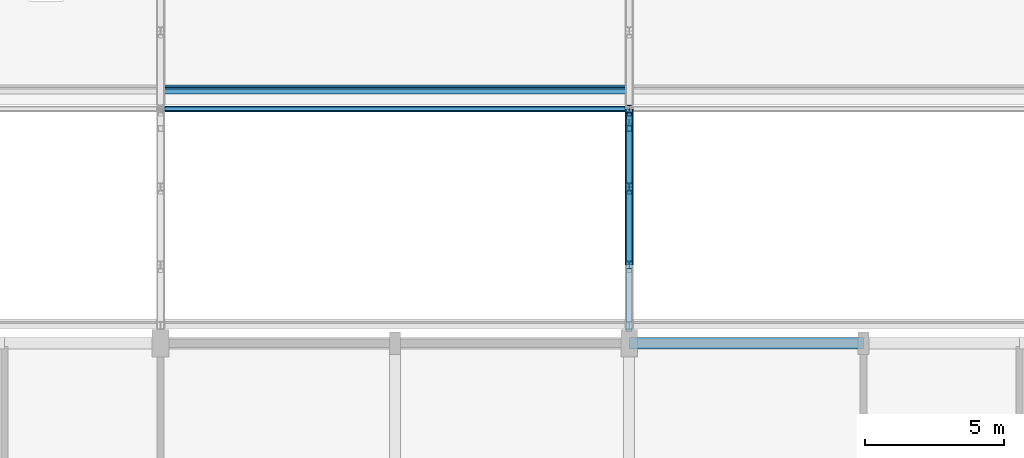
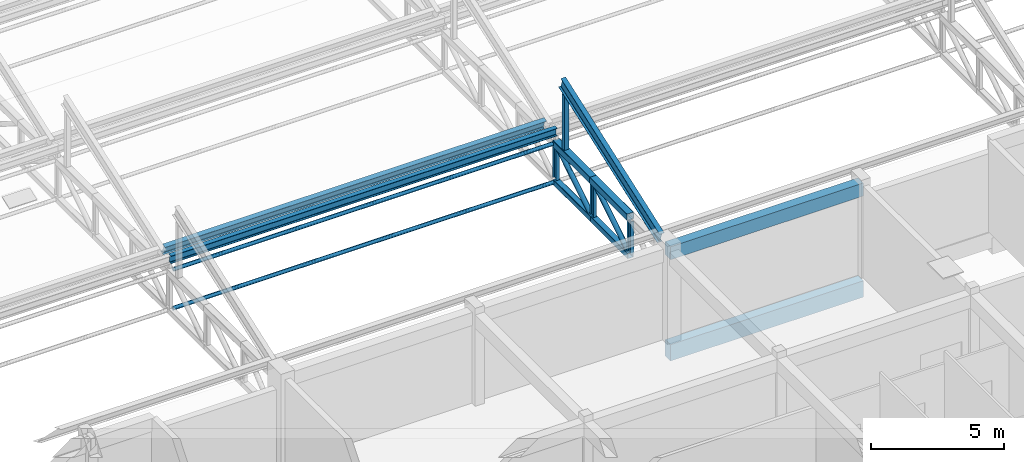
# One storey, part 15 of 101: 14 members, 3 beams.
"""IFC4 building model written with IfcOpenShell, lengths in metres."""

from ifc_helpers import new_model, si_unit, direction, frame, origin, origin_2d, place, context, subcontext, project, spatial, rectangle, hollow_rectangle, hollow_circle, i_section, extrude, material, material_profile, profile_set, type_object, element, save


model = new_model("IFC4")

# Units and contexts
model_context = context("Model", 3, precision=1e-05, world=origin(), true_north=direction((0.0, 1.0)))
body_context = subcontext(model_context, "Body", "Model", "MODEL_VIEW")
ifc_project = project(units=[si_unit("LENGTHUNIT", "METRE"), si_unit("AREAUNIT", "SQUARE_METRE"), si_unit("VOLUMEUNIT", "CUBIC_METRE"), si_unit("PLANEANGLEUNIT", "RADIAN"), si_unit("MASSUNIT", "GRAM", prefix="KILO")], contexts=[model_context])

# Site, building, storey
site_placement = place(None, origin())
site = spatial("IfcSite", under=ifc_project, at=site_placement, CompositionType="ELEMENT")
building_placement = place(site_placement, origin())
building = spatial("IfcBuilding", under=site, at=building_placement, Name="Fescue Hill Polytechnic", CompositionType="ELEMENT")
storey_placement = place(building_placement, frame((0.0, 0.0, 9.0)))
storey = spatial("IfcBuildingStorey", under=building, at=storey_placement, Name="L02", CompositionType="ELEMENT", Elevation=9.0)

# Beams
ifc_material_1 = material(Name="Concrete 35 MPa", Category="concrete")
ifc_material_profile_1 = material_profile(ifc_material_1, rectangle(XDim=0.39990234375, YDim=0.60009765625, at=origin_2d()), Name="RC 400x600")
ifc_profile_set_1 = profile_set([ifc_material_profile_1], Name="Concrete 35 MPa")
beam_type_1 = type_object("IfcBeamType", Name="Beam RC 400x600", PredefinedType="BEAM", material=ifc_profile_set_1)
beam_1_placement = place(storey_placement, frame((50.409912109375, 16.800048828125, 3.89990234375), z_axis=(1.0, 0.0, 0.0), x_axis=(0.0, 1.0, 0.0)))
element("IfcBeam", 1, at=beam_1_placement, inside=storey, type_object=beam_type_1, Name="BR-L02-0032", PredefinedType="BEAM", context=body_context, shape_type="SweptSolid", body=[
    extrude(rectangle(XDim=0.39990234375, YDim=0.60009765625, at=origin_2d()), origin(), (0.0, 0.0, 1.0), 8.39013671875),
])
ifc_material_profile_2 = material_profile(ifc_material_1, rectangle(XDim=0.39990234375, YDim=0.75, at=origin_2d()), Name="RC 400x750")
ifc_profile_set_2 = profile_set([ifc_material_profile_2], Name="Concrete 35 MPa")
beam_type_2 = type_object("IfcBeamType", Name="Beam RC 400x750", PredefinedType="BEAM", material=ifc_profile_set_2)
beam_2_placement = place(storey_placement, frame((50.409912109375, 16.800048828125, -0.675048828125), z_axis=(1.0, 0.0, 0.0), x_axis=(0.0, 1.0, 0.0)))
element("IfcBeam", 2, at=beam_2_placement, inside=storey, type_object=beam_type_2, Name="BM-L02-0074", PredefinedType="BEAM", context=body_context, shape_type="SweptSolid", body=[
    extrude(rectangle(XDim=0.39990234375, YDim=0.75, at=origin_2d()), origin(), (0.0, 0.0, 1.0), 8.39013671875),
])

# Members
ifc_material_2 = material(Name="Steel 350W (350 MPa)", Category="steel")
ifc_material_profile_3 = material_profile(ifc_material_2, hollow_rectangle(XDim=0.25390625, YDim=0.25390625, WallThickness=0.0126953125, InnerFilletRadius=0.0126953125, OuterFilletRadius=0.025390625, at=origin_2d()), Name="Hall truss bottom chord HSS 254x254x13")
ifc_profile_set_3 = profile_set([ifc_material_profile_3], Name="Steel 350W (350 MPa)")
member_type_1 = type_object("IfcMemberType", Name="Hall truss bottom chord HSS 254x254x13", PredefinedType="CHORD", material=ifc_profile_set_3)
member_1_placement = place(storey_placement, frame((50.39990234375, 19.60009765625, 2.0), z_axis=(0.0, 1.0, 0.0), x_axis=(-1.0, 0.0, 0.0)))
element("IfcMember", 3, at=member_1_placement, inside=storey, type_object=member_type_1, Name="Truss TR4 bottom chord 2", PredefinedType="CHORD", context=body_context, shape_type="SweptSolid", body=[
    extrude(hollow_rectangle(XDim=0.25390625, YDim=0.25390625, WallThickness=0.0126953125, InnerFilletRadius=0.0126953125, OuterFilletRadius=0.025390625, at=origin_2d()), origin(), (0.0, 0.0, 1.0), 2.7998046875),
])
member_2_placement = place(storey_placement, frame((50.39990234375, 22.39990234375, 2.0), z_axis=(0.0, 1.0, 0.0), x_axis=(-1.0, 0.0, 0.0)))
element("IfcMember", 4, at=member_2_placement, inside=storey, type_object=member_type_1, Name="Truss TR4 bottom chord 3", PredefinedType="CHORD", context=body_context, shape_type="SweptSolid", body=[
    extrude(hollow_rectangle(XDim=0.25390625, YDim=0.25390625, WallThickness=0.0126953125, InnerFilletRadius=0.0126953125, OuterFilletRadius=0.025390625, at=origin_2d()), origin(), (0.0, 0.0, 1.0), 2.800048828125),
])
ifc_material_profile_4 = material_profile(ifc_material_2, hollow_circle(Radius=0.109619140625, WallThickness=0.009521484375, at=origin_2d()), Name="Hall truss diagonal CHS 219x9.5")
ifc_profile_set_4 = profile_set([ifc_material_profile_4], Name="Steel 350W (350 MPa)")
member_type_2 = type_object("IfcMemberType", Name="Hall truss diagonal CHS 219x9.5", PredefinedType="BRACE", material=ifc_profile_set_4)
for number, where, z_axis, x_axis, name in (
    (5, (50.39990234375, 19.800048828125, 2.126953125), (0.0, 0.847329350891, 0.531067765091), (-1.0, 0.0, 0.0), "Truss TR4 diagonal 2"),
    (6, (50.39990234375, 22.60009765625, 2.126953125), (0.0, 0.847329350891, 0.531067765091), (-1.0, 0.0, 0.0), "Truss TR4 diagonal 3"),
):
    element("IfcMember", number, at=place(storey_placement, frame(where, z_axis=z_axis, x_axis=x_axis)), inside=storey, type_object=member_type_2, Name=name, PredefinedType="BRACE", context=body_context, shape_type="SweptSolid", body=[
        extrude(hollow_circle(Radius=0.109619140625, WallThickness=0.009521484375, at=origin_2d()), origin(), (0.0, 0.0, 1.0), 2.832275390625),
    ])
ifc_material_profile_5 = material_profile(ifc_material_2, i_section(OverallWidth=0.14794921875, OverallDepth=0.26611328125, WebThickness=0.007568359375, FlangeThickness=0.012939453125, FilletRadius=0.013916015625, at=origin_2d()), Name="W250x45")
ifc_profile_set_5 = profile_set([ifc_material_profile_5], Name="Steel 350W (350 MPa)")
member_type_3 = type_object("IfcMemberType", Name="Hall truss post W250x45", PredefinedType="POST", material=ifc_profile_set_5)
for number, where, z_axis, x_axis, name in (
    (7, (50.39990234375, 19.60009765625, 2.126953125), (0.0, 0.0, 1.0), (1.0, 0.0, 0.0), "Truss TR4 post 2"),
    (8, (50.39990234375, 22.39990234375, 2.126953125), (0.0, 0.0, 1.0), (1.0, 0.0, 0.0), "Truss TR4 post 3"),
    (9, (50.39990234375, 25.199951171875, 2.126953125), (0.0, 0.0, 1.0), (1.0, 0.0, 0.0), "Truss TR4 post 4"),
):
    element("IfcMember", number, at=place(storey_placement, frame(where, z_axis=z_axis, x_axis=x_axis)), inside=storey, type_object=member_type_3, Name=name, PredefinedType="POST", context=body_context, shape_type="SweptSolid", body=[
        extrude(i_section(OverallWidth=0.14794921875, OverallDepth=0.26611328125, WebThickness=0.007568359375, FlangeThickness=0.012939453125, FilletRadius=0.013916015625, at=origin_2d()), origin(), (0.0, 0.0, 1.0), 1.504150390625),
    ])
ifc_material_profile_6 = material_profile(ifc_material_2, hollow_circle(Radius=0.084228515625, WallThickness=0.009521484375, at=origin_2d()), Name="Hall truss tie strut CHS 168x9.5")
ifc_profile_set_6 = profile_set([ifc_material_profile_6], Name="Steel 350W (350 MPa)")
member_type_4 = type_object("IfcMemberType", Name="Hall truss tie strut CHS 168x9.5", PredefinedType="STRUT", material=ifc_profile_set_6)
member_3_placement = place(storey_placement, frame((33.75244140625, 25.199951171875, 3.783447265625), z_axis=(1.0, 0.0, 0.0), x_axis=(0.0, 1.0, 0.0)))
element("IfcMember", 10, at=member_3_placement, inside=storey, type_object=member_type_4, Name="Top chord tie strut bay 3 line 1", PredefinedType="STRUT", context=body_context, shape_type="SweptSolid", body=[
    extrude(hollow_circle(Radius=0.084228515625, WallThickness=0.009521484375, at=origin_2d()), origin(), (0.0, 0.0, 1.0), 16.4951171875),
])
member_4_placement = place(storey_placement, frame((33.72705078125, 25.199951171875, 2.0), z_axis=(1.0, 0.0, 0.0), x_axis=(0.0, 1.0, 0.0)))
element("IfcMember", 11, at=member_4_placement, inside=storey, type_object=member_type_4, Name="Bottom chord tie strut bay 3 line 1", PredefinedType="STRUT", context=body_context, shape_type="SweptSolid", body=[
    extrude(hollow_circle(Radius=0.084228515625, WallThickness=0.009521484375, at=origin_2d()), origin(), (0.0, 0.0, 1.0), 16.5458984375),
])
ifc_material_profile_7 = material_profile(ifc_material_2, hollow_rectangle(XDim=0.3046875, YDim=0.3046875, WallThickness=0.0126953125, InnerFilletRadius=0.0126953125, OuterFilletRadius=0.025390625, at=origin_2d()), Name="Hall truss top chord HSS 305x305x13")
ifc_profile_set_7 = profile_set([ifc_material_profile_7], Name="Steel 350W (350 MPa)")
member_type_5 = type_object("IfcMemberType", Name="Hall truss top chord HSS 305x305x13", PredefinedType="CHORD", material=ifc_profile_set_7)
member_5_placement = place(storey_placement, frame((50.39990234375, 19.60009765625, 3.783447265625), z_axis=(0.0, 1.0, 0.0), x_axis=(-1.0, 0.0, 0.0)))
element("IfcMember", 12, at=member_5_placement, inside=storey, type_object=member_type_5, Name="Truss TR4 top chord 2", PredefinedType="CHORD", context=body_context, shape_type="SweptSolid", body=[
    extrude(hollow_rectangle(XDim=0.3046875, YDim=0.3046875, WallThickness=0.0126953125, InnerFilletRadius=0.0126953125, OuterFilletRadius=0.025390625, at=origin_2d()), origin(), (0.0, 0.0, 1.0), 2.7998046875),
])
member_6_placement = place(storey_placement, frame((50.39990234375, 22.39990234375, 3.783447265625), z_axis=(0.0, 1.0, 0.0), x_axis=(-1.0, 0.0, 0.0)))
element("IfcMember", 13, at=member_6_placement, inside=storey, type_object=member_type_5, Name="Truss TR4 top chord 3", PredefinedType="CHORD", context=body_context, shape_type="SweptSolid", body=[
    extrude(hollow_rectangle(XDim=0.3046875, YDim=0.3046875, WallThickness=0.0126953125, InnerFilletRadius=0.0126953125, OuterFilletRadius=0.025390625, at=origin_2d()), origin(), (0.0, 0.0, 1.0), 2.800048828125),
])
ifc_material_profile_8 = material_profile(ifc_material_2, i_section(OverallWidth=0.18994140625, OverallDepth=0.45703125, WebThickness=0.009033203125, FlangeThickness=0.014404296875, FilletRadius=0.0166015625, at=origin_2d()), Name="W460x74")
ifc_profile_set_8 = profile_set([ifc_material_profile_8], Name="Steel 350W (350 MPa)")
member_type_6 = type_object("IfcMemberType", Name="Tooth purlin W460x74", PredefinedType="PURLIN", material=ifc_profile_set_8)
member_7_placement = place(storey_placement, frame((33.70458984375, 25.89990234375, 4.294921875), z_axis=(1.0, 0.0, 0.0), x_axis=(0.0, 0.941741911595, 0.336336396997)))
element("IfcMember", 14, at=member_7_placement, inside=storey, type_object=member_type_6, Name="Tooth 2 purlin 1 bay 3", PredefinedType="PURLIN", context=body_context, shape_type="SweptSolid", body=[
    extrude(i_section(OverallWidth=0.18994140625, OverallDepth=0.45703125, WebThickness=0.009033203125, FlangeThickness=0.014404296875, FilletRadius=0.0166015625, at=origin_2d()), origin(), (0.0, 0.0, 1.0), 16.5908203125),
])
ifc_material_profile_9 = material_profile(ifc_material_2, i_section(OverallWidth=0.208984375, OverallDepth=0.532958984375, WebThickness=0.01025390625, FlangeThickness=0.015625, FilletRadius=0.016357421875, at=origin_2d()), Name="W530x92")
ifc_profile_set_9 = profile_set([ifc_material_profile_9], Name="Steel 350W (350 MPa)")
member_type_7 = type_object("IfcMemberType", Name="Tooth rafter W530x92", PredefinedType="RAFTER", material=ifc_profile_set_9)
member_8_placement = place(storey_placement, frame((50.39990234375, 17.310302734375, 4.18701171875), z_axis=(0.0, 0.941744009147, 0.336330523793), x_axis=(-1.0, 0.0, 0.0)))
element("IfcMember", 15, at=member_8_placement, inside=storey, type_object=member_type_7, Name="Tooth 1 rafter on TR4", PredefinedType="RAFTER", context=body_context, shape_type="SweptSolid", body=[
    extrude(i_section(OverallWidth=0.208984375, OverallDepth=0.532958984375, WebThickness=0.01025390625, FlangeThickness=0.015625, FilletRadius=0.016357421875, at=origin_2d()), origin(), (0.0, 0.0, 1.0), 7.89990234375),
])
ifc_material_profile_10 = material_profile(ifc_material_2, hollow_rectangle(XDim=0.203125, YDim=0.203125, WallThickness=0.009521484375, InnerFilletRadius=0.009521484375, OuterFilletRadius=0.01904296875, at=origin_2d()), Name="Tooth ridge post HSS 203x203x9.5")
ifc_profile_set_10 = profile_set([ifc_material_profile_10], Name="Steel 350W (350 MPa)")
member_type_8 = type_object("IfcMemberType", Name="Tooth ridge post HSS 203x203x9.5", PredefinedType="POST", material=ifc_profile_set_10)
member_9_placement = place(storey_placement, frame((50.39990234375, 24.5, 3.93603515625), z_axis=(0.0, 0.0, 1.0), x_axis=(1.0, 0.0, 0.0)))
element("IfcMember", 16, at=member_9_placement, inside=storey, type_object=member_type_8, Name="Tooth 1 ridge post on TR4", PredefinedType="POST", context=body_context, shape_type="SweptSolid", body=[
    extrude(hollow_rectangle(XDim=0.203125, YDim=0.203125, WallThickness=0.009521484375, InnerFilletRadius=0.009521484375, OuterFilletRadius=0.01904296875, at=origin_2d()), origin(), (0.0, 0.0, 1.0), 2.499267578125),
])

# Beam
ifc_material_profile_11 = material_profile(ifc_material_2, i_section(OverallWidth=0.2041015625, OverallDepth=0.35009765625, WebThickness=0.008544921875, FlangeThickness=0.01513671875, FilletRadius=0.02197265625, at=origin_2d()), Name="W360x72")
ifc_profile_set_11 = profile_set([ifc_material_profile_11], Name="Steel 350W (350 MPa)")
beam_type_3 = type_object("IfcBeamType", Name="Valley gutter beam W360x72", PredefinedType="BEAM", material=ifc_profile_set_11)
beam_3_placement = place(storey_placement, frame((33.60009765625, 25.199951171875, 4.324951171875), z_axis=(1.0, 0.0, 0.0), x_axis=(0.0, 1.0, 0.0)))
element("IfcBeam", 17, at=beam_3_placement, inside=storey, type_object=beam_type_3, Name="Valley 2 gutter beam bay 3", PredefinedType="BEAM", context=body_context, shape_type="SweptSolid", body=[
    extrude(i_section(OverallWidth=0.2041015625, OverallDepth=0.35009765625, WebThickness=0.008544921875, FlangeThickness=0.01513671875, FilletRadius=0.02197265625, at=origin_2d()), origin(), (0.0, 0.0, 1.0), 16.7998046875),
])

save(model, "model.ifc")
